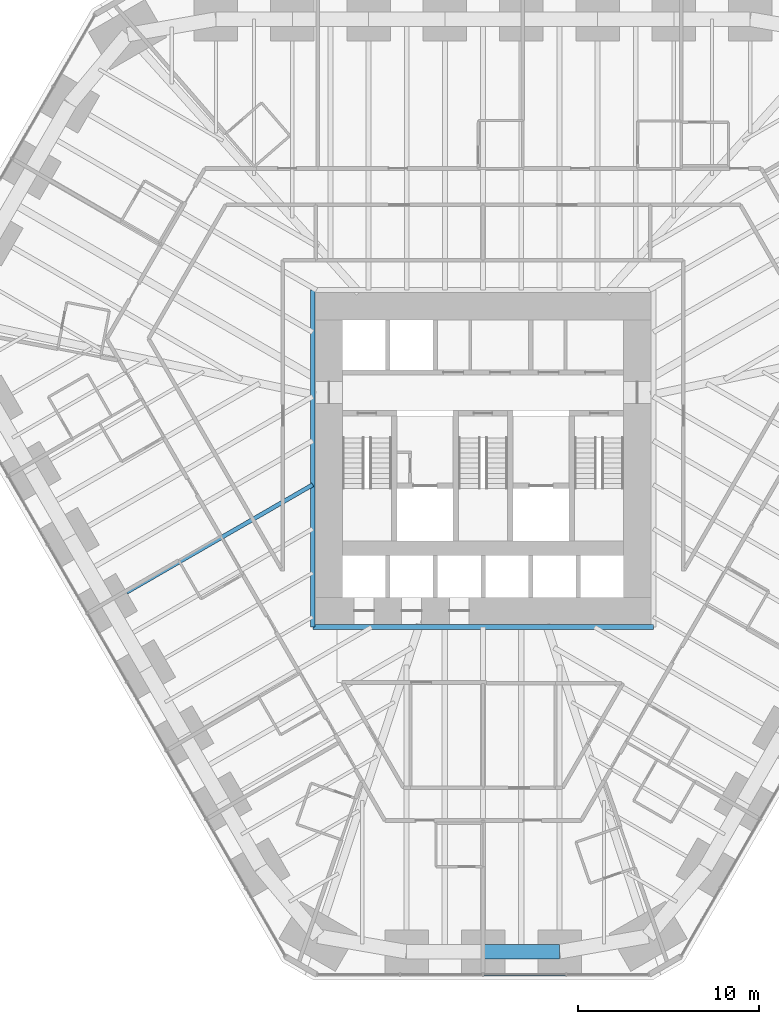
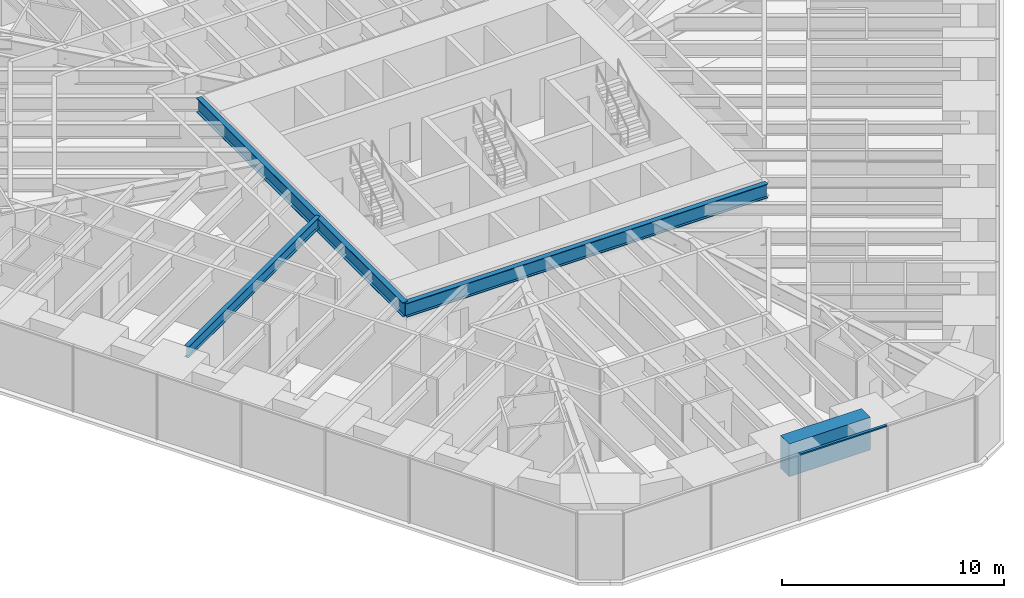
# One storey, part 4 of 17: 4 beams, 1 member, 1 element without a shape of its own.
"""IFC4 building model written with IfcOpenShell, lengths in metres."""

import ifcopenshell
import ifcopenshell.guid

model = None  # the IFC model being written
_history = None  # IfcOwnerHistory: only IFC2X3 demands one
_inside = {}  # id of a spatial element -> (the spatial element, [elements in it])
_under = {}  # id of a project, library or spatial element -> (it, [spatial elements below it])
_declared = {}  # id of a project -> (the project, [libraries it declares])
_typed = {}  # id of a type object -> (the type object, [elements of that type])
_made_of = {}  # id of a material, layer set ... -> (it, [elements and type objects made of it])


def new_model(schema):
    """Start an empty IFC model of exactly this schema.

    Asked for "IFC4X3", IfcOpenShell would pick the latest addendum, in which some entities
    have other attributes; the version numbers below select the first issue.
    IFC2X3 requires an IfcOwnerHistory on every rooted entity: one is made here for all.
    """
    global model, _history
    if schema == "IFC4X3":
        model = ifcopenshell.file(schema_version=(4, 3, 0, 0))
    else:
        model = ifcopenshell.file(schema=schema)
    _inside.clear()
    _under.clear()
    _declared.clear()
    _typed.clear()
    _made_of.clear()
    _history = None
    if model.schema == "IFC2X3":
        org = make("IfcOrganization", Name="unknown")
        user = make(
            "IfcPersonAndOrganization",
            ThePerson=make("IfcPerson", FamilyName="unknown"),
            TheOrganization=org,
        )
        app = make(
            "IfcApplication",
            ApplicationDeveloper=org,
            Version="unknown",
            ApplicationFullName="unknown",
            ApplicationIdentifier="unknown",
        )
        _history = make(
            "IfcOwnerHistory",
            OwningUser=user,
            OwningApplication=app,
            ChangeAction="ADDED",
            CreationDate=0,
        )
    return model


def make(cls, **values):
    """One entity of the class cls with the attributes given. An attribute that is None is left unset."""
    return model.create_entity(
        cls, **{name: value for name, value in values.items() if value is not None}
    )


def rooted(cls, **values):
    """An entity with a GlobalId (a new one), such as an element, a storey or a relation."""
    return make(cls, GlobalId=ifcopenshell.guid.new(), OwnerHistory=_history, **values)


def si_unit(unit_type, name, prefix=None):
    """IfcSIUnit, for example si_unit("LENGTHUNIT", "METRE", prefix="MILLI")."""
    return make("IfcSIUnit", UnitType=unit_type, Prefix=prefix, Name=name)


def assignment(units):
    """IfcUnitAssignment: the units of a project."""
    return None if units is None else make("IfcUnitAssignment", Units=units)


def point(xyz):
    """IfcCartesianPoint."""
    return None if xyz is None else make("IfcCartesianPoint", Coordinates=xyz)


def direction(xyz):
    """IfcDirection."""
    return None if xyz is None else make("IfcDirection", DirectionRatios=xyz)


def frame(location, z_axis=None, x_axis=None):
    """IfcAxis2Placement3D, a coordinate frame: its origin and axes. An axis left out is left unset."""
    return make(
        "IfcAxis2Placement3D",
        Location=point(location),
        Axis=direction(z_axis),
        RefDirection=direction(x_axis),
    )


def frame_2d(location, x_axis=None):
    """IfcAxis2Placement2D, a coordinate frame in the plane: its origin and x axis."""
    return make(
        "IfcAxis2Placement2D", Location=point(location), RefDirection=direction(x_axis)
    )


def origin():
    """The frame at (0, 0, 0) with its axes left unset."""
    return frame((0.0, 0.0, 0.0))


def origin_2d():
    """The frame at (0, 0) in the plane with its x axis left unset."""
    return frame_2d((0.0, 0.0))


def place(relative_to, where):
    """IfcLocalPlacement: puts the frame where relative to a parent placement (None: the world)."""
    return make(
        "IfcLocalPlacement", PlacementRelTo=relative_to, RelativePlacement=where
    )


def context(
    kind, dimensions, precision=None, world=None, true_north=None, identifier=None
):
    """IfcGeometricRepresentationContext, for example the 3D "Model" context."""
    return make(
        "IfcGeometricRepresentationContext",
        ContextIdentifier=identifier,
        ContextType=kind,
        CoordinateSpaceDimension=dimensions,
        Precision=precision,
        WorldCoordinateSystem=world,
        TrueNorth=true_north,
    )


def subcontext(parent, identifier, kind, view, scale=None):
    """IfcGeometricRepresentationSubContext, for example "Body" below "Model"."""
    return make(
        "IfcGeometricRepresentationSubContext",
        ContextIdentifier=identifier,
        ContextType=kind,
        ParentContext=parent,
        TargetScale=scale,
        TargetView=view,
    )


def project(units=None, contexts=None):
    """IfcProject with its units and contexts."""
    return rooted(
        "IfcProject",
        Name="project",
        RepresentationContexts=contexts,
        UnitsInContext=assignment(units),
    )


def spatial(cls, under=None, at=None, **own):
    """A site, building, storey or space (cls), placed at a placement, below another one or the project."""
    s = rooted(cls, ObjectPlacement=at, **own)
    if under is not None:
        _under.setdefault(under.id(), (under, []))[1].append(s)
    return s


def profile(cls, at=None, kind="AREA", **sizes):
    """A parametric profile (cls). Its sizes go by their IFC names, for example OverallWidth=200.0."""
    return make(cls, ProfileType=kind, Position=at, **sizes)


def rectangle(**sizes):
    """IfcRectangleProfileDef."""
    return profile("IfcRectangleProfileDef", **sizes)


def i_section(**sizes):
    """IfcIShapeProfileDef."""
    return profile("IfcIShapeProfileDef", **sizes)


def extrude(swept, where, along, depth):
    """IfcExtrudedAreaSolid: the profile swept, set in the frame where, extruded along a direction by depth."""
    return make(
        "IfcExtrudedAreaSolid",
        SweptArea=swept,
        Position=where,
        ExtrudedDirection=direction(along),
        Depth=depth,
    )


def shape(context_of_items, identifier, shape_type, items):
    """IfcShapeRepresentation: the items that make up one representation, for example the "Body"."""
    return make(
        "IfcShapeRepresentation",
        ContextOfItems=context_of_items,
        RepresentationIdentifier=identifier,
        RepresentationType=shape_type,
        Items=items,
    )


def material(Name=None, Category=None):
    """IfcMaterial."""
    return make("IfcMaterial", Name=Name, Category=Category)


def material_profile(
    of_material, cross_section, Name=None, Category=None, Priority=None
):
    """IfcMaterialProfile: a cross section and its material."""
    return make(
        "IfcMaterialProfile",
        Name=Name,
        Material=of_material,
        Profile=cross_section,
        Priority=Priority,
        Category=Category,
    )


def profile_set(profiles, Name=None, composite=None):
    """IfcMaterialProfileSet."""
    return make(
        "IfcMaterialProfileSet",
        Name=Name,
        MaterialProfiles=profiles,
        CompositeProfile=composite,
    )


def made_of(thing, what):
    """Note that an element or type object is made of a material, layer set ...; save() writes the relation."""
    if what is not None:
        _made_of.setdefault(what.id(), (what, []))[1].append(thing)
    return thing


def type_object(cls, material=None, **own):
    """A type object (cls), such as IfcWallType, which elements share."""
    return made_of(rooted(cls, **own), material)


def element(
    cls,
    number,
    at=None,
    inside=None,
    cuts=None,
    type_object=None,
    material=None,
    context=None,
    identifier="Body",
    shape_type=None,
    held_by="IfcProductDefinitionShape",
    body=None,
    shapes=None,
    **own,
):
    """One element of the class cls, such as IfcWall. Its Tag is "e" and its number.

    at: its placement. inside: the storey or other place that contains it. cuts: it is an
    opening in that element (IfcRelVoidsElement). A single representation is given by context,
    identifier, shape_type and body (its items); several are given by shapes. held_by: the class
    of the entity that holds the representations. save() writes the other relations.
    """
    e = rooted(cls, Tag="e%d" % number, ObjectPlacement=at, **own)
    if body is not None:
        shapes = [shape(context, identifier, shape_type, body)]
    if shapes is not None:
        e.Representation = make(held_by, Representations=shapes)
    if inside is not None:
        _inside.setdefault(inside.id(), (inside, []))[1].append(e)
    if cuts is not None:
        rooted(
            "IfcRelVoidsElement", RelatingBuildingElement=cuts, RelatedOpeningElement=e
        )
    if type_object is not None:
        _typed.setdefault(type_object.id(), (type_object, []))[1].append(e)
    return made_of(e, material)


def aggregate(whole, parts):
    """IfcRelAggregates: a whole, such as a stair, and the parts it consists of."""
    return rooted("IfcRelAggregates", RelatingObject=whole, RelatedObjects=parts)


def save(model, path):
    """Write the relations noted so far, then the file.

    IfcRelAggregates (storeys below a building ...), IfcRelContainedInSpatialStructure (elements
    in a storey), IfcRelDefinesByType, IfcRelAssociatesMaterial and IfcRelDeclares: one each for
    every whole, place, type object, material and project.
    """
    for whole, parts in _under.values():
        aggregate(whole, parts)
    for where, things in _inside.values():
        rooted(
            "IfcRelContainedInSpatialStructure",
            RelatedElements=things,
            RelatingStructure=where,
        )
    for kind, things in _typed.values():
        rooted("IfcRelDefinesByType", RelatedObjects=things, RelatingType=kind)
    for what, things in _made_of.values():
        rooted("IfcRelAssociatesMaterial", RelatedObjects=things, RelatingMaterial=what)
    for by, libraries in _declared.values():
        rooted("IfcRelDeclares", RelatingContext=by, RelatedDefinitions=libraries)
    model.write(path)


model = new_model("IFC4")

# Units and contexts
model_context = context("Model", 3, precision=1e-05, world=origin(), true_north=direction((0.0, 1.0)))
body_context = subcontext(model_context, "Body", "Model", "MODEL_VIEW")
ifc_project = project(units=[si_unit("LENGTHUNIT", "METRE"), si_unit("AREAUNIT", "SQUARE_METRE"), si_unit("VOLUMEUNIT", "CUBIC_METRE"), si_unit("PLANEANGLEUNIT", "RADIAN"), si_unit("MASSUNIT", "GRAM", prefix="KILO")], contexts=[model_context])

# Site, building, storey
site_placement = place(None, origin())
site = spatial("IfcSite", under=ifc_project, at=site_placement, CompositionType="ELEMENT")
building_placement = place(site_placement, origin())
building = spatial("IfcBuilding", under=site, at=building_placement, Name="Sandreach Pilgrim Tower", CompositionType="ELEMENT")
storey_placement = place(building_placement, frame((0.0, 0.0, 53.39990234375)))
storey = spatial("IfcBuildingStorey", under=building, at=storey_placement, Name="L12", CompositionType="ELEMENT", Elevation=53.39990234375)

# Curtain wall, member
ifc_material_1 = material(Name="Aluminium framed curtain wall", Category="aluminium")
curtain_wall_type = type_object("IfcCurtainWallType", Name="Hostel tower curtain wall", PredefinedType="NOTDEFINED", material=ifc_material_1)
curtain_wall_placement = place(storey_placement, origin())
curtain_wall = element("IfcCurtainWall", 1, at=curtain_wall_placement, inside=storey, type_object=curtain_wall_type, Name="CW-1 L12 S", PredefinedType="NOTDEFINED")
ifc_material_2 = material(Name="Aluminium extrusion", Category="aluminium")
ifc_material_profile_1 = material_profile(ifc_material_2, rectangle(XDim=0.139892578125, YDim=0.070068359375, at=origin_2d()), Name="CW-1T 140X70")
ifc_profile_set_1 = profile_set([ifc_material_profile_1], Name="Aluminium extrusion")
member_type = type_object("IfcMemberType", Name="CW-1 transom", PredefinedType="USERDEFINED", material=ifc_profile_set_1)
member_placement = place(storey_placement, frame((4.553466796875, -30.010986328125, 3.60498046875), z_axis=(-1.0, 0.0, 0.0), x_axis=(0.0, -1.0, 0.0)))
member = element("IfcMember", 2, at=member_placement, type_object=member_type, Name="CW-1 head transom 2", ObjectType="TRANSOM", PredefinedType="USERDEFINED", context=body_context, shape_type="SweptSolid", body=[
    extrude(rectangle(XDim=0.139892578125, YDim=0.070068359375, at=origin_2d()), origin(), (0.0, 0.0, 1.0), 4.52099609375),
])
aggregate(curtain_wall, [member])

# Beams
ifc_material_3 = material(Name="Steel ASTM A992 Grade 50", Category="steel")
ifc_material_profile_2 = material_profile(ifc_material_3, i_section(OverallWidth=0.2666015625, OverallDepth=0.77978515625, WebThickness=0.0166015625, FlangeThickness=0.030029296875, at=origin_2d()), Name="W30X148")
ifc_profile_set_2 = profile_set([ifc_material_profile_2], Name="Steel ASTM A992 Grade 50")
beam_type_1 = type_object("IfcBeamType", Name="Core edge beam W30X148", PredefinedType="BEAM", material=ifc_profile_set_2)
beam_1_placement = place(storey_placement, frame((9.393310546875, -10.84326171875, 3.250244140625), z_axis=(-1.0, 0.0, 0.0), x_axis=(0.0, -1.0, 0.0)))
element("IfcBeam", 3, at=beam_1_placement, inside=storey, type_object=beam_type_1, Name="BM L12 CES", PredefinedType="BEAM", context=body_context, shape_type="SweptSolid", body=[
    extrude(i_section(OverallWidth=0.2666015625, OverallDepth=0.77978515625, WebThickness=0.0166015625, FlangeThickness=0.030029296875, at=origin_2d()), origin(), (0.0, 0.0, 1.0), 18.78662109375),
])
beam_2_placement = place(storey_placement, frame((-9.393310546875, -10.84326171875, 3.250244140625), z_axis=(0.0, 1.0, 0.0), x_axis=(-1.0, 0.0, 0.0)))
element("IfcBeam", 4, at=beam_2_placement, inside=storey, type_object=beam_type_1, Name="BM L12 CEW", PredefinedType="BEAM", context=body_context, shape_type="SweptSolid", body=[
    extrude(i_section(OverallWidth=0.2666015625, OverallDepth=0.77978515625, WebThickness=0.0166015625, FlangeThickness=0.030029296875, at=origin_2d()), origin(), (0.0, 0.0, 1.0), 18.586669921875),
])
ifc_material_4 = material(Name="Steel ASTM A992 Grade 50", Category="steel")
ifc_material_profile_3 = material_profile(ifc_material_4, i_section(OverallWidth=0.23046875, OverallDepth=0.6171875, WebThickness=0.01318359375, FlangeThickness=0.022216796875, at=origin_2d()), Name="W24X94")
ifc_profile_set_3 = profile_set([ifc_material_profile_3], Name="Steel ASTM A992 Grade 50")
beam_type_2 = type_object("IfcBeamType", Name="Floor beam W24X94", PredefinedType="BEAM", material=ifc_profile_set_3)
beam_3_placement = place(storey_placement, frame((-19.662353515625, -8.92138671875, 3.33154296875), z_axis=(0.866029924088, 0.499992170523, 0.0), x_axis=(-0.499992170523, 0.866029924088, 0.0)))
element("IfcBeam", 5, at=beam_3_placement, inside=storey, type_object=beam_type_2, Name="BM L12 F31", PredefinedType="BEAM", context=body_context, shape_type="SweptSolid", body=[
    extrude(i_section(OverallWidth=0.23046875, OverallDepth=0.6171875, WebThickness=0.01318359375, FlangeThickness=0.022216796875, at=origin_2d()), origin(), (0.0, 0.0, 1.0), 11.857666015625),
])
ifc_material_5 = material(Name="Concrete 10000 psi", Category="concrete")
ifc_material_profile_4 = material_profile(ifc_material_5, rectangle(XDim=0.800048828125, YDim=1.800048828125, at=origin_2d()), Name="RC800X1800")
ifc_profile_set_4 = profile_set([ifc_material_profile_4], Name="Concrete 10000 psi")
beam_type_3 = type_object("IfcBeamType", Name="Spandrel beam RC800X1800", PredefinedType="SPANDREL", material=ifc_profile_set_4)
beam_4_placement = place(storey_placement, frame((4.222412109375, -28.7509765625, 2.739990234375), z_axis=(-1.0, 0.0, 0.0), x_axis=(0.0, -1.0, 0.0)))
element("IfcBeam", 6, at=beam_4_placement, inside=storey, type_object=beam_type_3, Name="BM L12 SP23", PredefinedType="SPANDREL", context=body_context, shape_type="SweptSolid", body=[
    extrude(rectangle(XDim=0.800048828125, YDim=1.800048828125, at=origin_2d()), origin(), (0.0, 0.0, 1.0), 4.222412109375),
])

save(model, "model.ifc")
